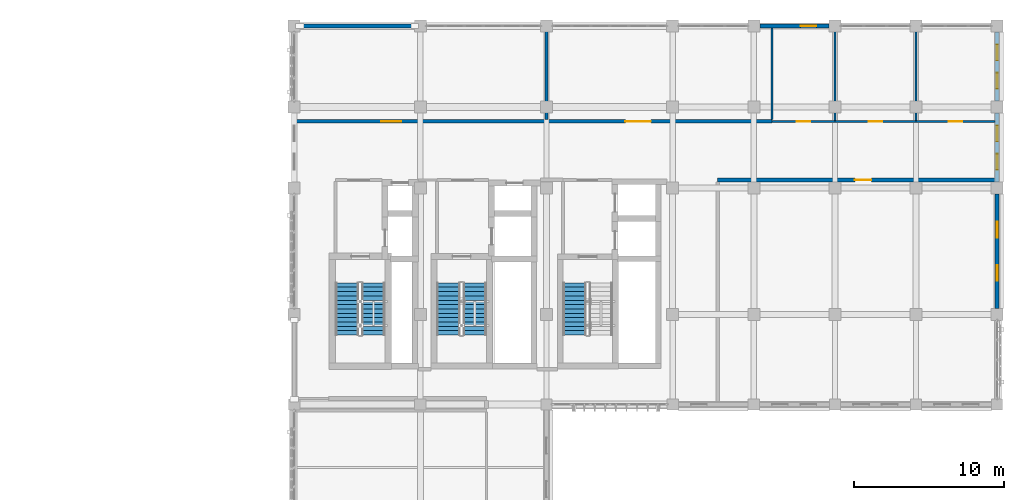
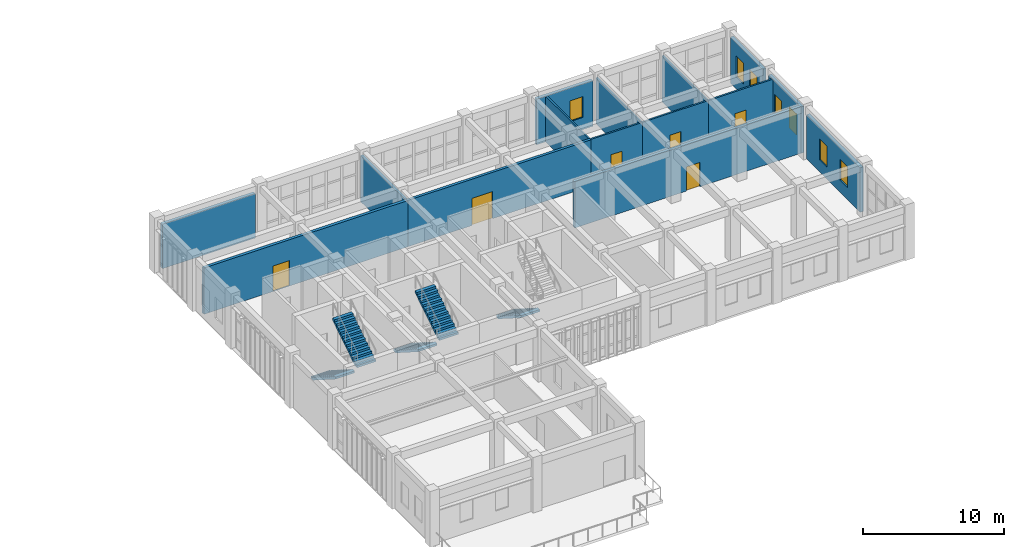
# One storey, part 73 of 76: 15 walls, 7 windows, 6 doors, 5 stair flights, 13 openings, 3 elements without a shape of their own.
"""IFC4 building model written with IfcOpenShell, lengths in metres."""

from ifc_helpers import new_model, si_unit, direction, frame, frame_2d, origin, place, context, subcontext, project, spatial, polyline, rectangle, outline, extrude, material, layer, layer_set, type_object, element, fill, aggregate, save


model = new_model("IFC4")

# Units and contexts
model_context = context("Model", 3, precision=1e-05, world=origin(), true_north=direction((0.0, 1.0)))
body_context = subcontext(model_context, "Body", "Model", "MODEL_VIEW")
ifc_project = project(units=[si_unit("LENGTHUNIT", "METRE"), si_unit("AREAUNIT", "SQUARE_METRE"), si_unit("VOLUMEUNIT", "CUBIC_METRE"), si_unit("PLANEANGLEUNIT", "RADIAN"), si_unit("MASSUNIT", "GRAM", prefix="KILO")], contexts=[model_context])

# Site, building, storey
site_placement = place(None, origin())
site = spatial("IfcSite", under=ifc_project, at=site_placement, CompositionType="ELEMENT")
building_placement = place(site_placement, origin())
building = spatial("IfcBuilding", under=site, at=building_placement, Name="Krzemoval Escarpment Law Courts", CompositionType="ELEMENT")
storey_placement = place(building_placement, frame((0.0, 0.0, 20.39990234375)))
storey = spatial("IfcBuildingStorey", under=building, at=storey_placement, Name="L04", CompositionType="ELEMENT", Elevation=20.39990234375)

# Wall
ifc_material_1 = material(Name="Precast concrete C40/50", Category="concrete")
ifc_layer_1 = layer(ifc_material_1, 0.260009765625)
ifc_layer_set_1 = layer_set([ifc_layer_1], Name="Precast concrete C40/50")
wall_type_1 = type_object("IfcWallType", Name="WL-EXT-260", PredefinedType="SOLIDWALL", material=ifc_layer_set_1)
wall_1_placement = place(storey_placement, frame((126.39990234375, 118.800048828125, 0.0), z_axis=(0.0, 0.0, 1.0), x_axis=(1.0, 0.0, 0.0)))
element("IfcWall", 1, at=wall_1_placement, inside=storey, type_object=wall_type_1, Name="Exterior Wall EW-L04-0416", PredefinedType="SOLIDWALL", context=body_context, shape_type="SweptSolid", body=[
    extrude(rectangle(XDim=7.60009765625, YDim=0.260009765625, at=frame_2d((3.800048828125, 0.0))), origin(), (0.0, 0.0, 1.0), 3.85009765625),
])

# Wall, opening, window
wall_2_placement = place(storey_placement, frame((157.0, 118.800048828125, 0.0), z_axis=(0.0, 0.0, 1.0), x_axis=(1.0, 0.0, 0.0)))
wall_2 = element("IfcWall", 2, at=wall_2_placement, inside=storey, type_object=wall_type_1, Name="Exterior Wall EW-L04-0417", PredefinedType="SOLIDWALL", context=body_context, shape_type="SweptSolid", body=[
    extrude(rectangle(XDim=4.60009765625, YDim=0.260009765625, at=frame_2d((2.300048828125, 0.0))), origin(), (0.0, 0.0, 1.0), 3.9501953125),
])
opening_1_placement = place(wall_2_placement, frame((2.717041015625, 0.0, 1.050048828125)))
opening_1 = element("IfcOpeningElement", 3, at=opening_1_placement, cuts=wall_2, Name="Opening WN-L04-0496", PredefinedType="OPENING", context=body_context, shape_type="SweptSolid", body=[
    extrude(rectangle(XDim=1.050048828125, YDim=1.800048828125, at=frame_2d((0.52490234375, 0.89990234375))), frame((0.0, 0.145, 0.0), z_axis=(0.0, -1.0, 0.0), x_axis=(1.0, 0.0, 0.0)), (0.0, 0.0, 1.0), 0.29001),
])
ifc_material_2 = material(Name="Thermally Broken Aluminium Frame with Triple Low-E Acoustic Glass", Category="aluminium")
window_type = type_object("IfcWindowType", Name="WN-1050x1800", PartitioningType="SINGLE_PANEL", PredefinedType="WINDOW", material=ifc_material_2)
window_1_placement = place(opening_1_placement, origin())
window_1 = element("IfcWindow", 4, at=window_1_placement, inside=storey, type_object=window_type, Name="Facade Window WN-L04-0496", OverallHeight=1.800048828125, OverallWidth=1.050048828125, PartitioningType="SINGLE_PANEL", PredefinedType="WINDOW", context=body_context, shape_type="SweptSolid", body=[
    extrude(rectangle(XDim=1.050048828125, YDim=1.800048828125, at=frame_2d((0.52490234375, 0.89990234375))), frame((0.0, 0.030029296875, 0.0), z_axis=(0.0, -1.0, 0.0), x_axis=(1.0, 0.0, 0.0)), (0.0, 0.0, 1.0), 0.06005859375),
])
fill(opening_1, window_1)

# Wall, openings, windows
wall_3_placement = place(storey_placement, frame((172.800048828125, 118.39990234375, 0.0), z_axis=(0.0, 0.0, 1.0), x_axis=(0.0, -1.0, 0.0)))
wall_3 = element("IfcWall", 5, at=wall_3_placement, inside=storey, type_object=wall_type_1, Name="Exterior Wall EW-L04-0418", PredefinedType="SOLIDWALL", context=body_context, shape_type="SweptSolid", body=[
    extrude(rectangle(XDim=4.599853515625, YDim=0.260009765625, at=frame_2d((2.2998046875, 0.0))), origin(), (0.0, 0.0, 1.0), 4.0),
])
opening_2_placement = place(wall_3_placement, frame((0.8330078125, 0.0, 1.050048828125)))
opening_2 = element("IfcOpeningElement", 6, at=opening_2_placement, cuts=wall_3, Name="Opening WN-L04-0497", PredefinedType="OPENING", context=body_context, shape_type="SweptSolid", body=[
    extrude(rectangle(XDim=1.050048828125, YDim=1.800048828125, at=frame_2d((0.52490234375, 0.89990234375))), frame((0.0, 0.145, 0.0), z_axis=(0.0, -1.0, 0.0), x_axis=(1.0, 0.0, 0.0)), (0.0, 0.0, 1.0), 0.29001),
])
opening_3_placement = place(wall_3_placement, frame((2.717041015625, 0.0, 1.050048828125)))
opening_3 = element("IfcOpeningElement", 7, at=opening_3_placement, cuts=wall_3, Name="Opening WN-L04-0498", PredefinedType="OPENING", context=body_context, shape_type="SweptSolid", body=[
    extrude(rectangle(XDim=1.050048828125, YDim=1.800048828125, at=frame_2d((0.52490234375, 0.89990234375))), frame((0.0, 0.145, 0.0), z_axis=(0.0, -1.0, 0.0), x_axis=(1.0, 0.0, 0.0)), (0.0, 0.0, 1.0), 0.29001),
])
window_2_placement = place(opening_2_placement, origin())
window_2 = element("IfcWindow", 8, at=window_2_placement, inside=storey, type_object=window_type, Name="Facade Window WN-L04-0497", OverallHeight=1.800048828125, OverallWidth=1.050048828125, PartitioningType="SINGLE_PANEL", PredefinedType="WINDOW", context=body_context, shape_type="SweptSolid", body=[
    extrude(rectangle(XDim=1.050048828125, YDim=1.800048828125, at=frame_2d((0.52490234375, 0.89990234375))), frame((0.0, 0.030029296875, 0.0), z_axis=(0.0, -1.0, 0.0), x_axis=(1.0, 0.0, 0.0)), (0.0, 0.0, 1.0), 0.06005859375),
])
fill(opening_2, window_2)
window_3_placement = place(opening_3_placement, origin())
window_3 = element("IfcWindow", 9, at=window_3_placement, inside=storey, type_object=window_type, Name="Facade Window WN-L04-0498", OverallHeight=1.800048828125, OverallWidth=1.050048828125, PartitioningType="SINGLE_PANEL", PredefinedType="WINDOW", context=body_context, shape_type="SweptSolid", body=[
    extrude(rectangle(XDim=1.050048828125, YDim=1.800048828125, at=frame_2d((0.52490234375, 0.89990234375))), frame((0.0, 0.030029296875, 0.0), z_axis=(0.0, -1.0, 0.0), x_axis=(1.0, 0.0, 0.0)), (0.0, 0.0, 1.0), 0.06005859375),
])
fill(opening_3, window_3)

wall_4_placement = place(storey_placement, frame((172.800048828125, 113.0, 0.0), z_axis=(0.0, 0.0, 1.0), x_axis=(0.0, -1.0, 0.0)))
wall_4 = element("IfcWall", 10, at=wall_4_placement, inside=storey, type_object=wall_type_1, Name="Exterior Wall EW-L04-0419", PredefinedType="SOLIDWALL", context=body_context, shape_type="SweptSolid", body=[
    extrude(rectangle(XDim=4.60009765625, YDim=0.260009765625, at=frame_2d((2.300048828125, 0.0))), origin(), (0.0, 0.0, 1.0), 4.0),
])
opening_4_placement = place(wall_4_placement, frame((0.8330078125, 0.0, 1.050048828125)))
opening_4 = element("IfcOpeningElement", 11, at=opening_4_placement, cuts=wall_4, Name="Opening WN-L04-0499", PredefinedType="OPENING", context=body_context, shape_type="SweptSolid", body=[
    extrude(rectangle(XDim=1.050048828125, YDim=1.800048828125, at=frame_2d((0.52490234375, 0.89990234375))), frame((0.0, 0.145, 0.0), z_axis=(0.0, -1.0, 0.0), x_axis=(1.0, 0.0, 0.0)), (0.0, 0.0, 1.0), 0.29001),
])
opening_5_placement = place(wall_4_placement, frame((2.717041015625, 0.0, 1.050048828125)))
opening_5 = element("IfcOpeningElement", 12, at=opening_5_placement, cuts=wall_4, Name="Opening WN-L04-0500", PredefinedType="OPENING", context=body_context, shape_type="SweptSolid", body=[
    extrude(rectangle(XDim=1.050048828125, YDim=1.800048828125, at=frame_2d((0.52490234375, 0.89990234375))), frame((0.0, 0.145, 0.0), z_axis=(0.0, -1.0, 0.0), x_axis=(1.0, 0.0, 0.0)), (0.0, 0.0, 1.0), 0.29001),
])
window_4_placement = place(opening_4_placement, origin())
window_4 = element("IfcWindow", 13, at=window_4_placement, inside=storey, type_object=window_type, Name="Facade Window WN-L04-0499", OverallHeight=1.800048828125, OverallWidth=1.050048828125, PartitioningType="SINGLE_PANEL", PredefinedType="WINDOW", context=body_context, shape_type="SweptSolid", body=[
    extrude(rectangle(XDim=1.050048828125, YDim=1.800048828125, at=frame_2d((0.52490234375, 0.89990234375))), frame((0.0, 0.030029296875, 0.0), z_axis=(0.0, -1.0, 0.0), x_axis=(1.0, 0.0, 0.0)), (0.0, 0.0, 1.0), 0.06005859375),
])
fill(opening_4, window_4)
window_5_placement = place(opening_5_placement, origin())
window_5 = element("IfcWindow", 14, at=window_5_placement, inside=storey, type_object=window_type, Name="Facade Window WN-L04-0500", OverallHeight=1.800048828125, OverallWidth=1.050048828125, PartitioningType="SINGLE_PANEL", PredefinedType="WINDOW", context=body_context, shape_type="SweptSolid", body=[
    extrude(rectangle(XDim=1.050048828125, YDim=1.800048828125, at=frame_2d((0.52490234375, 0.89990234375))), frame((0.0, 0.030029296875, 0.0), z_axis=(0.0, -1.0, 0.0), x_axis=(1.0, 0.0, 0.0)), (0.0, 0.0, 1.0), 0.06005859375),
])
fill(opening_5, window_5)

wall_5_placement = place(storey_placement, frame((172.800048828125, 107.60009765625, 0.0), z_axis=(0.0, 0.0, 1.0), x_axis=(0.0, -1.0, 0.0)))
wall_5 = element("IfcWall", 15, at=wall_5_placement, inside=storey, type_object=wall_type_1, Name="Exterior Wall EW-L04-0420", PredefinedType="SOLIDWALL", context=body_context, shape_type="SweptSolid", body=[
    extrude(rectangle(XDim=7.60009765625, YDim=0.260009765625, at=frame_2d((3.800048828125, 0.0))), origin(), (0.0, 0.0, 1.0), 3.85009765625),
])
opening_6_placement = place(wall_5_placement, frame((1.8330078125, 0.0, 1.050048828125)))
opening_6 = element("IfcOpeningElement", 16, at=opening_6_placement, cuts=wall_5, Name="Opening WN-L04-0501", PredefinedType="OPENING", context=body_context, shape_type="SweptSolid", body=[
    extrude(rectangle(XDim=1.050048828125, YDim=1.800048828125, at=frame_2d((0.52490234375, 0.89990234375))), frame((0.0, 0.145, 0.0), z_axis=(0.0, -1.0, 0.0), x_axis=(1.0, 0.0, 0.0)), (0.0, 0.0, 1.0), 0.29001),
])
opening_7_placement = place(wall_5_placement, frame((4.717041015625, 0.0, 1.050048828125)))
opening_7 = element("IfcOpeningElement", 17, at=opening_7_placement, cuts=wall_5, Name="Opening WN-L04-0502", PredefinedType="OPENING", context=body_context, shape_type="SweptSolid", body=[
    extrude(rectangle(XDim=1.050048828125, YDim=1.800048828125, at=frame_2d((0.52490234375, 0.89990234375))), frame((0.0, 0.145, 0.0), z_axis=(0.0, -1.0, 0.0), x_axis=(1.0, 0.0, 0.0)), (0.0, 0.0, 1.0), 0.29001),
])
window_6_placement = place(opening_6_placement, origin())
window_6 = element("IfcWindow", 18, at=window_6_placement, inside=storey, type_object=window_type, Name="Facade Window WN-L04-0501", OverallHeight=1.800048828125, OverallWidth=1.050048828125, PartitioningType="SINGLE_PANEL", PredefinedType="WINDOW", context=body_context, shape_type="SweptSolid", body=[
    extrude(rectangle(XDim=1.050048828125, YDim=1.800048828125, at=frame_2d((0.52490234375, 0.89990234375))), frame((0.0, 0.030029296875, 0.0), z_axis=(0.0, -1.0, 0.0), x_axis=(1.0, 0.0, 0.0)), (0.0, 0.0, 1.0), 0.06005859375),
])
fill(opening_6, window_6)
window_7_placement = place(opening_7_placement, origin())
window_7 = element("IfcWindow", 19, at=window_7_placement, inside=storey, type_object=window_type, Name="Facade Window WN-L04-0502", OverallHeight=1.800048828125, OverallWidth=1.050048828125, PartitioningType="SINGLE_PANEL", PredefinedType="WINDOW", context=body_context, shape_type="SweptSolid", body=[
    extrude(rectangle(XDim=1.050048828125, YDim=1.800048828125, at=frame_2d((0.52490234375, 0.89990234375))), frame((0.0, 0.030029296875, 0.0), z_axis=(0.0, -1.0, 0.0), x_axis=(1.0, 0.0, 0.0)), (0.0, 0.0, 1.0), 0.06005859375),
])
fill(opening_7, window_7)

# Wall, opening, door
ifc_material_3 = material(Name="Sanitary Moisture-Resistant Partition", Category="gypsum")
ifc_layer_2 = layer(ifc_material_3, 0.139892578125)
ifc_layer_set_2 = layer_set([ifc_layer_2], Name="Sanitary Moisture-Resistant Partition")
wall_type_2 = type_object("IfcWallType", Name="WL-PRT-140", PredefinedType="PARTITIONING", material=ifc_layer_set_2)
wall_6_placement = place(storey_placement, frame((157.800048828125, 112.449951171875, 0.0), z_axis=(0.0, 0.0, 1.0), x_axis=(1.0, 0.0, 0.0)))
wall_6 = element("IfcWall", 20, at=wall_6_placement, inside=storey, type_object=wall_type_2, Name="Interior Partition PW-L04-0612", PredefinedType="PARTITIONING", context=body_context, shape_type="SweptSolid", body=[
    extrude(rectangle(XDim=4.199951171875, YDim=0.139892578125, at=frame_2d((2.10009765625, 0.0))), origin(), (0.0, 0.0, 1.0), 4.0),
])
opening_8_placement = place(wall_6_placement, frame((1.64990234375, 0.0, 0.0)))
opening_8 = element("IfcOpeningElement", 21, at=opening_8_placement, cuts=wall_6, Name="Opening D-L04-0214", PredefinedType="OPENING", context=body_context, shape_type="SweptSolid", body=[
    extrude(rectangle(XDim=0.89990234375, YDim=2.10009765625, at=frame_2d((0.449951171875, 1.050048828125))), frame((0.0, 0.08495, 0.0), z_axis=(0.0, -1.0, 0.0), x_axis=(1.0, 0.0, 0.0)), (0.0, 0.0, 1.0), 0.16989),
])
ifc_material_4 = material(Name="Engineered Solid-Core Oak Acoustic Timber", Category="wood")
door_type_1 = type_object("IfcDoorType", Name="DR-INT-900x2100", OperationType="SINGLE_SWING_LEFT", PredefinedType="DOOR", material=ifc_material_4)
door_1_placement = place(opening_8_placement, origin())
door_1 = element("IfcDoor", 22, at=door_1_placement, inside=storey, type_object=door_type_1, Name="Room Door D-L04-0214", OperationType="SINGLE_SWING_RIGHT", OverallHeight=2.10009765625, OverallWidth=0.89990234375, PredefinedType="DOOR", context=body_context, shape_type="SweptSolid", body=[
    extrude(rectangle(XDim=0.89990234375, YDim=2.10009765625, at=frame_2d((0.449951171875, 1.050048828125))), frame((0.0, 0.02490234375, 0.0), z_axis=(0.0, -1.0, 0.0), x_axis=(1.0, 0.0, 0.0)), (0.0, 0.0, 1.0), 0.050048828125),
])
fill(opening_8, door_1)

wall_7_placement = place(storey_placement, frame((162.0, 112.449951171875, 0.0), z_axis=(0.0, 0.0, 1.0), x_axis=(1.0, 0.0, 0.0)))
wall_7 = element("IfcWall", 23, at=wall_7_placement, inside=storey, type_object=wall_type_2, Name="Interior Partition PW-L04-0613", PredefinedType="PARTITIONING", context=body_context, shape_type="SweptSolid", body=[
    extrude(rectangle(XDim=5.39990234375, YDim=0.139892578125, at=frame_2d((2.699951171875, 0.0))), origin(), (0.0, 0.0, 1.0), 4.0),
])
opening_9_placement = place(wall_7_placement, frame((2.25, 0.0, 0.0)))
opening_9 = element("IfcOpeningElement", 24, at=opening_9_placement, cuts=wall_7, Name="Opening D-L04-0215", PredefinedType="OPENING", context=body_context, shape_type="SweptSolid", body=[
    extrude(rectangle(XDim=0.89990234375, YDim=2.10009765625, at=frame_2d((0.449951171875, 1.050048828125))), frame((0.0, 0.08495, 0.0), z_axis=(0.0, -1.0, 0.0), x_axis=(1.0, 0.0, 0.0)), (0.0, 0.0, 1.0), 0.16989),
])
door_2_placement = place(opening_9_placement, origin())
door_2 = element("IfcDoor", 25, at=door_2_placement, inside=storey, type_object=door_type_1, Name="Room Door D-L04-0215", OperationType="SINGLE_SWING_LEFT", OverallHeight=2.10009765625, OverallWidth=0.89990234375, PredefinedType="DOOR", context=body_context, shape_type="SweptSolid", body=[
    extrude(rectangle(XDim=0.89990234375, YDim=2.10009765625, at=frame_2d((0.449951171875, 1.050048828125))), frame((0.0, 0.02490234375, 0.0), z_axis=(0.0, -1.0, 0.0), x_axis=(1.0, 0.0, 0.0)), (0.0, 0.0, 1.0), 0.050048828125),
])
fill(opening_9, door_2)

wall_8_placement = place(storey_placement, frame((167.39990234375, 112.449951171875, 0.0), z_axis=(0.0, 0.0, 1.0), x_axis=(1.0, 0.0, 0.0)))
wall_8 = element("IfcWall", 26, at=wall_8_placement, inside=storey, type_object=wall_type_2, Name="Interior Partition PW-L04-0614", PredefinedType="PARTITIONING", context=body_context, shape_type="SweptSolid", body=[
    extrude(rectangle(XDim=5.26806640625, YDim=0.139892578125, at=frame_2d((2.634033203125, 0.0))), origin(), (0.0, 0.0, 1.0), 4.0),
])
opening_10_placement = place(wall_8_placement, frame((2.18408203125, 0.0, 0.0)))
opening_10 = element("IfcOpeningElement", 27, at=opening_10_placement, cuts=wall_8, Name="Opening D-L04-0216", PredefinedType="OPENING", context=body_context, shape_type="SweptSolid", body=[
    extrude(rectangle(XDim=0.89990234375, YDim=2.10009765625, at=frame_2d((0.449951171875, 1.050048828125))), frame((0.0, 0.08495, 0.0), z_axis=(0.0, -1.0, 0.0), x_axis=(1.0, 0.0, 0.0)), (0.0, 0.0, 1.0), 0.16989),
])
door_3_placement = place(opening_10_placement, origin())
door_3 = element("IfcDoor", 28, at=door_3_placement, inside=storey, type_object=door_type_1, Name="Room Door D-L04-0216", OperationType="SINGLE_SWING_RIGHT", OverallHeight=2.10009765625, OverallWidth=0.89990234375, PredefinedType="DOOR", context=body_context, shape_type="SweptSolid", body=[
    extrude(rectangle(XDim=0.89990234375, YDim=2.10009765625, at=frame_2d((0.449951171875, 1.050048828125))), frame((0.0, 0.02490234375, 0.0), z_axis=(0.0, -1.0, 0.0), x_axis=(1.0, 0.0, 0.0)), (0.0, 0.0, 1.0), 0.050048828125),
])
fill(opening_10, door_3)

# Walls
wall_9_placement = place(storey_placement, frame((157.800048828125, 112.56201171875, 0.0), z_axis=(0.0, 0.0, 1.0), x_axis=(0.0, 1.0, 0.0)))
element("IfcWall", 29, at=wall_9_placement, inside=storey, type_object=wall_type_2, Name="Interior Partition PW-L04-0636", PredefinedType="PARTITIONING", context=body_context, shape_type="SweptSolid", body=[
    extrude(rectangle(XDim=6.10595703125, YDim=0.139892578125, at=frame_2d((3.052978515625, 0.0))), origin(), (0.0, 0.0, 1.0), 3.9501953125),
])
wall_10_placement = place(storey_placement, frame((162.0, 112.52197265625, 0.0), z_axis=(0.0, 0.0, 1.0), x_axis=(0.0, 1.0, 0.0)))
element("IfcWall", 30, at=wall_10_placement, inside=storey, type_object=wall_type_2, Name="Interior Partition PW-L04-0637", PredefinedType="PARTITIONING", context=body_context, shape_type="SweptSolid", body=[
    extrude(rectangle(XDim=6.29296875, YDim=0.139892578125, at=frame_2d((3.146484375, 0.0))), origin(), (0.0, 0.0, 1.0), 4.0),
])
wall_11_placement = place(storey_placement, frame((167.39990234375, 112.52197265625, 0.0), z_axis=(0.0, 0.0, 1.0), x_axis=(0.0, 1.0, 0.0)))
element("IfcWall", 31, at=wall_11_placement, inside=storey, type_object=wall_type_2, Name="Interior Partition PW-L04-0638", PredefinedType="PARTITIONING", context=body_context, shape_type="SweptSolid", body=[
    extrude(rectangle(XDim=6.31298828125, YDim=0.139892578125, at=frame_2d((3.156494140625, 0.0))), origin(), (0.0, 0.0, 1.0), 4.0),
])
ifc_material_5 = material(Name="Fire-Rated Corridor Partition Wall", Category="gypsum")
ifc_layer_3 = layer(ifc_material_5, 0.199951171875)
ifc_layer_set_3 = layer_set([ifc_layer_3], Name="Fire-Rated Corridor Partition Wall")
wall_type_3 = type_object("IfcWallType", Name="WL-PRT-200", PredefinedType="PARTITIONING", material=ifc_layer_set_3)
wall_12_placement = place(storey_placement, frame((142.800048828125, 112.572021484375, 0.0), z_axis=(0.0, 0.0, 1.0), x_axis=(0.0, 1.0, 0.0)))
element("IfcWall", 32, at=wall_12_placement, inside=storey, type_object=wall_type_3, Name="Interior Partition PW-L04-0633", PredefinedType="PARTITIONING", context=body_context, shape_type="SweptSolid", body=[
    extrude(rectangle(XDim=6.262939453125, YDim=0.199951171875, at=frame_2d((3.13134765625, 0.0))), origin(), (0.0, 0.0, 1.0), 4.0),
])

# Wall, opening, door
ifc_material_6 = material(Name="Solid Calcium-Silicate Custody Blockwork Partition", Category="masonry")
ifc_layer_4 = layer(ifc_material_6, 0.219970703125)
ifc_layer_set_4 = layer_set([ifc_layer_4], Name="Solid Calcium-Silicate Custody Blockwork Partition")
wall_type_4 = type_object("IfcWallType", Name="WL-PRT-220", PredefinedType="PARTITIONING", material=ifc_layer_set_4)
wall_13_placement = place(storey_placement, frame((142.800048828125, 112.449951171875, 0.0), z_axis=(0.0, 0.0, 1.0), x_axis=(1.0, 0.0, 0.0)))
wall_13 = element("IfcWall", 33, at=wall_13_placement, inside=storey, type_object=wall_type_4, Name="Interior Partition PW-L04-0611", PredefinedType="PARTITIONING", context=body_context, shape_type="SweptSolid", body=[
    extrude(rectangle(XDim=15.0, YDim=0.219970703125, at=frame_2d((7.5, 0.0))), origin(), (0.0, 0.0, 1.0), 4.0),
])
opening_11_placement = place(wall_13_placement, frame((5.25, 0.0, 0.0)))
opening_11 = element("IfcOpeningElement", 34, at=opening_11_placement, cuts=wall_13, Name="Opening D-L04-0213", PredefinedType="OPENING", context=body_context, shape_type="SweptSolid", body=[
    extrude(rectangle(XDim=1.699951171875, YDim=2.35009765625, at=frame_2d((0.85009765625, 1.175048828125))), frame((0.0, 0.12499, 0.0), z_axis=(0.0, -1.0, 0.0), x_axis=(1.0, 0.0, 0.0)), (0.0, 0.0, 1.0), 0.24997),
])
ifc_material_7 = material(Name="Engineered Solid-Core Oak Acoustic Timber", Category="wood")
door_type_2 = type_object("IfcDoorType", Name="DR-INT-1700x2350", OperationType="SINGLE_SWING_LEFT", PredefinedType="DOOR", material=ifc_material_7)
door_4_placement = place(opening_11_placement, origin())
door_4 = element("IfcDoor", 35, at=door_4_placement, inside=storey, type_object=door_type_2, Name="Room Door D-L04-0213", OperationType="SINGLE_SWING_LEFT", OverallHeight=2.35009765625, OverallWidth=1.699951171875, PredefinedType="DOOR", context=body_context, shape_type="SweptSolid", body=[
    extrude(rectangle(XDim=1.699951171875, YDim=2.35009765625, at=frame_2d((0.85009765625, 1.175048828125))), frame((0.0, 0.02490234375, 0.0), z_axis=(0.0, -1.0, 0.0), x_axis=(1.0, 0.0, 0.0)), (0.0, 0.0, 1.0), 0.050048828125),
])
fill(opening_11, door_4)

ifc_material_8 = material(Name="Acoustic Courtroom Partition Assembly", Category="gypsum")
ifc_layer_5 = layer(ifc_material_8, 0.239990234375)
ifc_layer_set_5 = layer_set([ifc_layer_5], Name="Acoustic Courtroom Partition Assembly")
wall_type_5 = type_object("IfcWallType", Name="WL-PRT-240", PredefinedType="PARTITIONING", material=ifc_layer_set_5)
wall_14_placement = place(storey_placement, frame((126.132080078125, 112.449951171875, 0.0), z_axis=(0.0, 0.0, 1.0), x_axis=(1.0, 0.0, 0.0)))
wall_14 = element("IfcWall", 36, at=wall_14_placement, inside=storey, type_object=wall_type_5, Name="Interior Partition PW-L04-0610", PredefinedType="PARTITIONING", context=body_context, shape_type="SweptSolid", body=[
    extrude(rectangle(XDim=16.66796875, YDim=0.239990234375, at=frame_2d((8.333984375, 0.0))), origin(), (0.0, 0.0, 1.0), 4.0),
])
opening_12_placement = place(wall_14_placement, frame((5.658935546875, 0.0, 0.0)))
opening_12 = element("IfcOpeningElement", 37, at=opening_12_placement, cuts=wall_14, Name="Opening D-L04-0212", PredefinedType="OPENING", context=body_context, shape_type="SweptSolid", body=[
    extrude(rectangle(XDim=1.35009765625, YDim=2.199951171875, at=frame_2d((0.675048828125, 1.10009765625))), frame((0.0, 0.135, 0.0), z_axis=(0.0, -1.0, 0.0), x_axis=(1.0, 0.0, 0.0)), (0.0, 0.0, 1.0), 0.26999),
])
ifc_material_9 = material(Name="Engineered Solid-Core Oak Acoustic Timber", Category="wood")
door_type_3 = type_object("IfcDoorType", Name="DR-INT-1350x2200", OperationType="SINGLE_SWING_LEFT", PredefinedType="DOOR", material=ifc_material_9)
door_5_placement = place(opening_12_placement, origin())
door_5 = element("IfcDoor", 38, at=door_5_placement, inside=storey, type_object=door_type_3, Name="Room Door D-L04-0212", OperationType="SINGLE_SWING_LEFT", OverallHeight=2.199951171875, OverallWidth=1.35009765625, PredefinedType="DOOR", context=body_context, shape_type="SweptSolid", body=[
    extrude(rectangle(XDim=1.35009765625, YDim=2.199951171875, at=frame_2d((0.675048828125, 1.10009765625))), frame((0.0, 0.02490234375, 0.0), z_axis=(0.0, -1.0, 0.0), x_axis=(1.0, 0.0, 0.0)), (0.0, 0.0, 1.0), 0.050048828125),
])
fill(opening_12, door_5)

ifc_material_10 = material(Name="Acoustic Double-Stud Gypsum and Mineral Wool Wall", Category="gypsum")
ifc_layer_6 = layer(ifc_material_10, 0.260009765625)
ifc_layer_set_6 = layer_set([ifc_layer_6], Name="Acoustic Double-Stud Gypsum and Mineral Wool Wall")
wall_type_6 = type_object("IfcWallType", Name="WL-PRT-260", PredefinedType="PARTITIONING", material=ifc_layer_set_6)
wall_15_placement = place(storey_placement, frame((154.199951171875, 108.550048828125, 0.0), z_axis=(0.0, 0.0, 1.0), x_axis=(1.0, 0.0, 0.0)))
wall_15 = element("IfcWall", 39, at=wall_15_placement, inside=storey, type_object=wall_type_6, Name="Interior Partition PW-L04-0609", PredefinedType="PARTITIONING", context=body_context, shape_type="SweptSolid", body=[
    extrude(rectangle(XDim=18.468017578125, YDim=0.260009765625, at=frame_2d((9.23388671875, 0.0))), origin(), (0.0, 0.0, 1.0), 4.0),
])
opening_13_placement = place(wall_15_placement, frame((9.134033203125, 0.0, 0.0)))
opening_13 = element("IfcOpeningElement", 40, at=opening_13_placement, cuts=wall_15, Name="Opening D-L04-0217", PredefinedType="OPENING", context=body_context, shape_type="SweptSolid", body=[
    extrude(rectangle(XDim=1.10009765625, YDim=2.10009765625, at=frame_2d((0.550048828125, 1.050048828125))), frame((0.0, 0.145, 0.0), z_axis=(0.0, -1.0, 0.0), x_axis=(1.0, 0.0, 0.0)), (0.0, 0.0, 1.0), 0.29001),
])
ifc_material_11 = material(Name="Engineered Solid-Core Oak Acoustic Timber", Category="wood")
door_type_4 = type_object("IfcDoorType", Name="DR-INT-1100x2100", OperationType="SINGLE_SWING_LEFT", PredefinedType="DOOR", material=ifc_material_11)
door_6_placement = place(opening_13_placement, origin())
door_6 = element("IfcDoor", 41, at=door_6_placement, inside=storey, type_object=door_type_4, Name="Room Door D-L04-0217", OperationType="SINGLE_SWING_LEFT", OverallHeight=2.10009765625, OverallWidth=1.10009765625, PredefinedType="DOOR", context=body_context, shape_type="SweptSolid", body=[
    extrude(rectangle(XDim=1.10009765625, YDim=2.10009765625, at=frame_2d((0.550048828125, 1.050048828125))), frame((0.0, 0.02490234375, 0.0), z_axis=(0.0, -1.0, 0.0), x_axis=(1.0, 0.0, 0.0)), (0.0, 0.0, 1.0), 0.050048828125),
])
fill(opening_13, door_6)

# Stair, stair flights
ifc_material_12 = material(Name="Concrete C40/50", Category="concrete")
stair_type = type_object("IfcStairType", Name="STR-CORE-1550", PredefinedType="HALF_TURN_STAIR", material=ifc_material_12)
stair_1_placement = place(storey_placement, origin())
stair_1 = element("IfcStair", 42, at=stair_1_placement, inside=storey, type_object=stair_type, Name="L04 ST1", PredefinedType="HALF_TURN_STAIR")
ifc_material_13 = material(Name="Concrete C40/50", Category="concrete")
stair_flight_type = type_object("IfcStairFlightType", Name="STF-CORE-1550", PredefinedType="STRAIGHT", material=ifc_material_13)
stair_flight_1_placement = place(storey_placement, frame((129.52490234375, 101.699951171875, 0.0), z_axis=(0.0, 0.0, 1.0), x_axis=(0.0, -1.0, 0.0)))
stair_flight_1 = element("IfcStairFlight", 43, at=stair_flight_1_placement, type_object=stair_flight_type, Name="ST1 flight 1", NumberOfRisers=13, NumberOfTreads=12, PredefinedType="STRAIGHT", RiserHeight=0.184615385, TreadLength=0.29, context=body_context, shape_type="SweptSolid", body=[
    extrude(outline(polyline([(0.0, 0.0), (0.0, 0.1845703125), (0.2900390625, 0.1845703125), (0.2900390625, 0.369140625), (0.580078125, 0.369140625), (0.580078125, 0.553955078125), (0.8701171875, 0.553955078125), (0.8701171875, 0.738525390625), (1.159912109375, 0.738525390625), (1.159912109375, 0.923095703125), (1.449951171875, 0.923095703125), (1.449951171875, 1.107666015625), (1.739990234375, 1.107666015625), (1.739990234375, 1.292236328125), (2.030029296875, 1.292236328125), (2.030029296875, 1.476806640625), (2.320068359375, 1.476806640625), (2.320068359375, 1.66162109375), (2.610107421875, 1.66162109375), (2.610107421875, 1.84619140625), (2.89990234375, 1.84619140625), (2.89990234375, 2.03076171875), (3.18994140625, 2.03076171875), (3.18994140625, 2.21533203125), (3.47998046875, 2.21533203125), (3.47998046875, 2.39990234375), (3.47998046875, 2.03759765625), (0.279052734375, 0.0), (0.0, 0.0)])), frame((0.0, 0.77490234375, 0.0), z_axis=(0.0, -1.0, 0.0), x_axis=(1.0, 0.0, 0.0)), (0.0, 0.0, 1.0), 1.550048828125),
])
stair_flight_2_placement = place(storey_placement, frame((131.27490234375, 98.219970703125, 2.400146484375), z_axis=(0.0, 0.0, 1.0), x_axis=(0.0, 1.0, 0.0)))
stair_flight_2 = element("IfcStairFlight", 44, at=stair_flight_2_placement, type_object=stair_flight_type, Name="ST1 flight 2", NumberOfRisers=13, NumberOfTreads=12, PredefinedType="STRAIGHT", RiserHeight=0.184615385, TreadLength=0.29, context=body_context, shape_type="SweptSolid", body=[
    extrude(outline(polyline([(0.0, 0.0), (0.0, 0.1845703125), (0.2900390625, 0.1845703125), (0.2900390625, 0.369140625), (0.580078125, 0.369140625), (0.580078125, 0.553955078125), (0.8701171875, 0.553955078125), (0.8701171875, 0.738525390625), (1.159912109375, 0.738525390625), (1.159912109375, 0.923095703125), (1.449951171875, 0.923095703125), (1.449951171875, 1.107666015625), (1.739990234375, 1.107666015625), (1.739990234375, 1.292236328125), (2.030029296875, 1.292236328125), (2.030029296875, 1.476806640625), (2.320068359375, 1.476806640625), (2.320068359375, 1.66162109375), (2.610107421875, 1.66162109375), (2.610107421875, 1.84619140625), (2.89990234375, 1.84619140625), (2.89990234375, 2.03076171875), (3.18994140625, 2.03076171875), (3.18994140625, 2.21533203125), (3.47998046875, 2.21533203125), (3.47998046875, 2.39990234375), (3.47998046875, 2.03759765625), (0.279052734375, 0.0), (0.0, 0.0)])), frame((0.0, 0.77490234375, 0.0), z_axis=(0.0, -1.0, 0.0), x_axis=(1.0, 0.0, 0.0)), (0.0, 0.0, 1.0), 1.550048828125),
])
aggregate(stair_1, [stair_flight_1, stair_flight_2])

stair_2_placement = place(storey_placement, origin())
stair_2 = element("IfcStair", 45, at=stair_2_placement, inside=storey, type_object=stair_type, Name="L04 ST2", PredefinedType="HALF_TURN_STAIR")
stair_flight_3_placement = place(storey_placement, frame((136.27490234375, 101.699951171875, 0.0), z_axis=(0.0, 0.0, 1.0), x_axis=(0.0, -1.0, 0.0)))
stair_flight_3 = element("IfcStairFlight", 46, at=stair_flight_3_placement, type_object=stair_flight_type, Name="ST2 flight 1", NumberOfRisers=13, NumberOfTreads=12, PredefinedType="STRAIGHT", RiserHeight=0.184615385, TreadLength=0.29, context=body_context, shape_type="SweptSolid", body=[
    extrude(outline(polyline([(0.0, 0.0), (0.0, 0.1845703125), (0.2900390625, 0.1845703125), (0.2900390625, 0.369140625), (0.580078125, 0.369140625), (0.580078125, 0.553955078125), (0.8701171875, 0.553955078125), (0.8701171875, 0.738525390625), (1.159912109375, 0.738525390625), (1.159912109375, 0.923095703125), (1.449951171875, 0.923095703125), (1.449951171875, 1.107666015625), (1.739990234375, 1.107666015625), (1.739990234375, 1.292236328125), (2.030029296875, 1.292236328125), (2.030029296875, 1.476806640625), (2.320068359375, 1.476806640625), (2.320068359375, 1.66162109375), (2.610107421875, 1.66162109375), (2.610107421875, 1.84619140625), (2.89990234375, 1.84619140625), (2.89990234375, 2.03076171875), (3.18994140625, 2.03076171875), (3.18994140625, 2.21533203125), (3.47998046875, 2.21533203125), (3.47998046875, 2.39990234375), (3.47998046875, 2.03759765625), (0.279052734375, 0.0), (0.0, 0.0)])), frame((0.0, 0.77490234375, 0.0), z_axis=(0.0, -1.0, 0.0), x_axis=(1.0, 0.0, 0.0)), (0.0, 0.0, 1.0), 1.550048828125),
])
stair_flight_4_placement = place(storey_placement, frame((138.02490234375, 98.219970703125, 2.400146484375), z_axis=(0.0, 0.0, 1.0), x_axis=(0.0, 1.0, 0.0)))
stair_flight_4 = element("IfcStairFlight", 47, at=stair_flight_4_placement, type_object=stair_flight_type, Name="ST2 flight 2", NumberOfRisers=13, NumberOfTreads=12, PredefinedType="STRAIGHT", RiserHeight=0.184615385, TreadLength=0.29, context=body_context, shape_type="SweptSolid", body=[
    extrude(outline(polyline([(0.0, 0.0), (0.0, 0.1845703125), (0.2900390625, 0.1845703125), (0.2900390625, 0.369140625), (0.580078125, 0.369140625), (0.580078125, 0.553955078125), (0.8701171875, 0.553955078125), (0.8701171875, 0.738525390625), (1.159912109375, 0.738525390625), (1.159912109375, 0.923095703125), (1.449951171875, 0.923095703125), (1.449951171875, 1.107666015625), (1.739990234375, 1.107666015625), (1.739990234375, 1.292236328125), (2.030029296875, 1.292236328125), (2.030029296875, 1.476806640625), (2.320068359375, 1.476806640625), (2.320068359375, 1.66162109375), (2.610107421875, 1.66162109375), (2.610107421875, 1.84619140625), (2.89990234375, 1.84619140625), (2.89990234375, 2.03076171875), (3.18994140625, 2.03076171875), (3.18994140625, 2.21533203125), (3.47998046875, 2.21533203125), (3.47998046875, 2.39990234375), (3.47998046875, 2.03759765625), (0.279052734375, 0.0), (0.0, 0.0)])), frame((0.0, 0.77490234375, 0.0), z_axis=(0.0, -1.0, 0.0), x_axis=(1.0, 0.0, 0.0)), (0.0, 0.0, 1.0), 1.550048828125),
])
aggregate(stair_2, [stair_flight_3, stair_flight_4])

# Stair, stair flight
stair_3_placement = place(storey_placement, origin())
stair_3 = element("IfcStair", 48, at=stair_3_placement, inside=storey, type_object=stair_type, Name="L04 ST3", PredefinedType="HALF_TURN_STAIR")
stair_flight_5_placement = place(storey_placement, frame((144.675048828125, 101.699951171875, 0.0), z_axis=(0.0, 0.0, 1.0), x_axis=(0.0, -1.0, 0.0)))
stair_flight_5 = element("IfcStairFlight", 49, at=stair_flight_5_placement, type_object=stair_flight_type, Name="ST3 flight 1", NumberOfRisers=13, NumberOfTreads=12, PredefinedType="STRAIGHT", RiserHeight=0.184615385, TreadLength=0.29, context=body_context, shape_type="SweptSolid", body=[
    extrude(outline(polyline([(0.0, 0.0), (0.0, 0.1845703125), (0.2900390625, 0.1845703125), (0.2900390625, 0.369140625), (0.580078125, 0.369140625), (0.580078125, 0.553955078125), (0.8701171875, 0.553955078125), (0.8701171875, 0.738525390625), (1.159912109375, 0.738525390625), (1.159912109375, 0.923095703125), (1.449951171875, 0.923095703125), (1.449951171875, 1.107666015625), (1.739990234375, 1.107666015625), (1.739990234375, 1.292236328125), (2.030029296875, 1.292236328125), (2.030029296875, 1.476806640625), (2.320068359375, 1.476806640625), (2.320068359375, 1.66162109375), (2.610107421875, 1.66162109375), (2.610107421875, 1.84619140625), (2.89990234375, 1.84619140625), (2.89990234375, 2.03076171875), (3.18994140625, 2.03076171875), (3.18994140625, 2.21533203125), (3.47998046875, 2.21533203125), (3.47998046875, 2.39990234375), (3.47998046875, 2.03759765625), (0.279052734375, 0.0), (0.0, 0.0)])), frame((0.0, 0.77490234375, 0.0), z_axis=(0.0, -1.0, 0.0), x_axis=(1.0, 0.0, 0.0)), (0.0, 0.0, 1.0), 1.550048828125),
])
aggregate(stair_3, [stair_flight_5])

save(model, "model.ifc")
